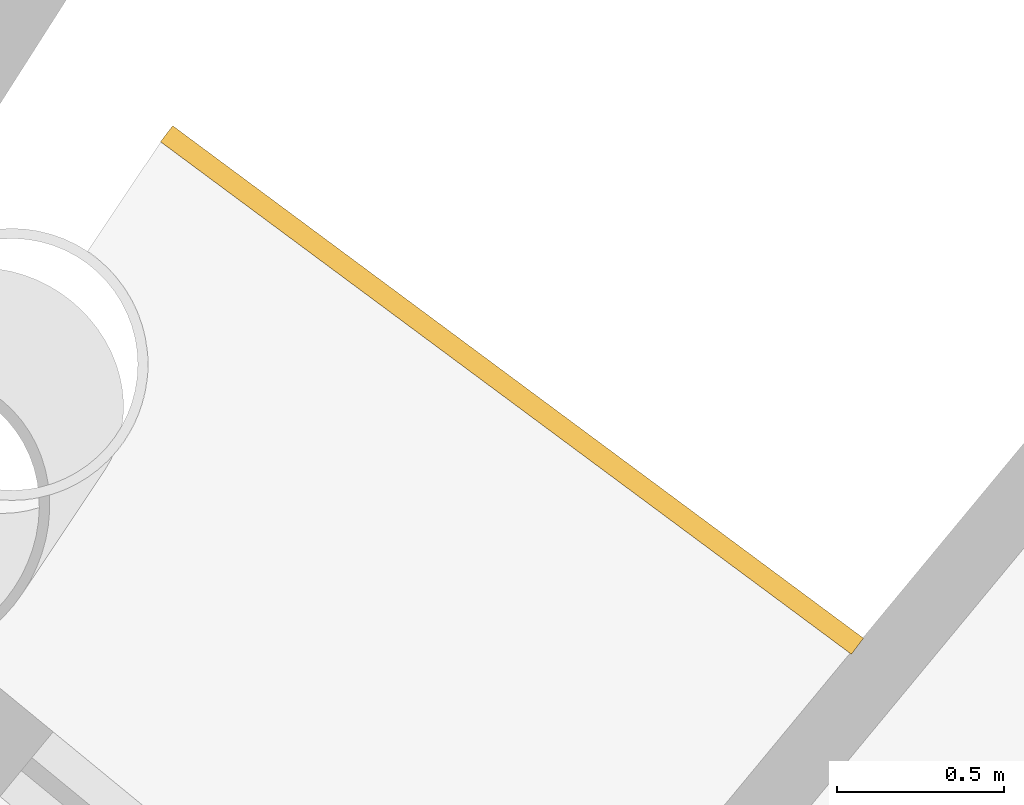
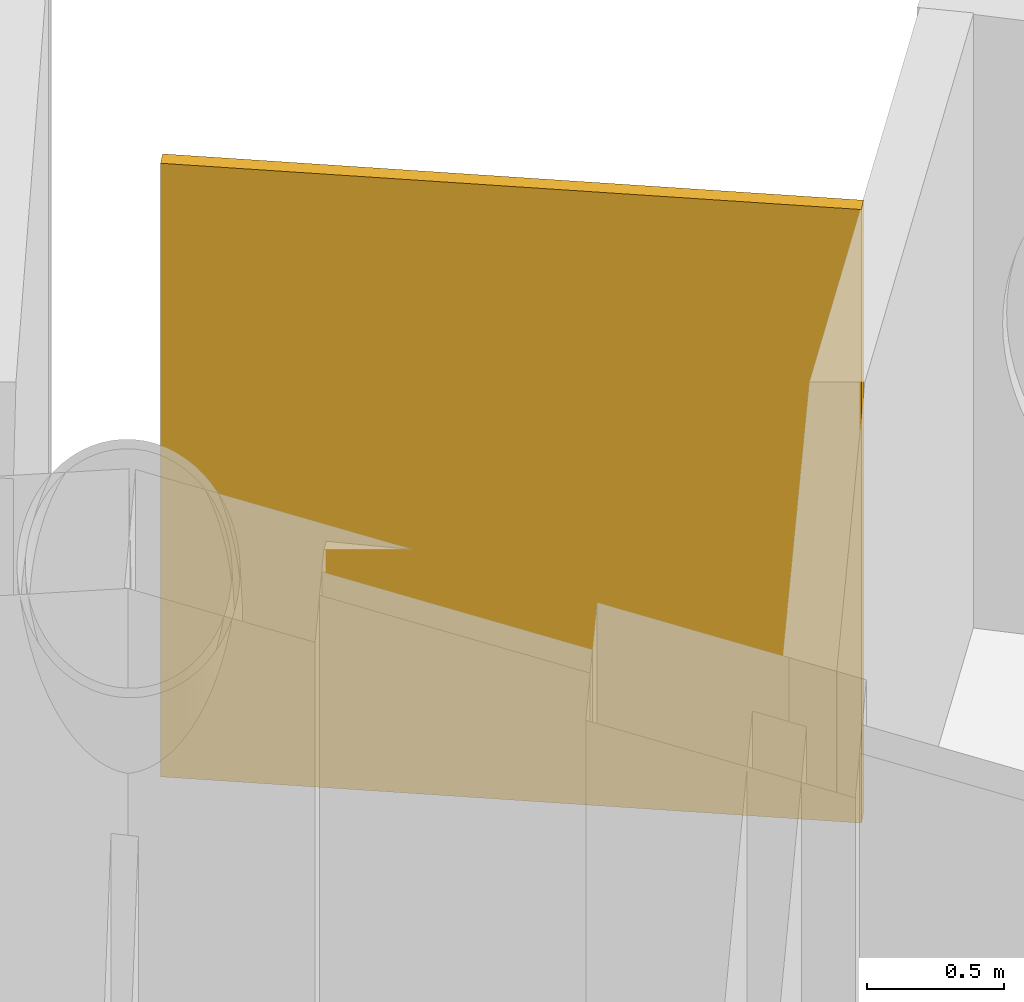
# One storey, part 27 of 27: 1 railing.
"""IFC4 building model written with IfcOpenShell, lengths in metres."""

import ifcopenshell
import ifcopenshell.guid

model = None  # the IFC model being written
_history = None  # IfcOwnerHistory: only IFC2X3 demands one
_inside = {}  # id of a spatial element -> (the spatial element, [elements in it])
_under = {}  # id of a project, library or spatial element -> (it, [spatial elements below it])
_declared = {}  # id of a project -> (the project, [libraries it declares])
_typed = {}  # id of a type object -> (the type object, [elements of that type])
_made_of = {}  # id of a material, layer set ... -> (it, [elements and type objects made of it])


def new_model(schema):
    """Start an empty IFC model of exactly this schema.

    Asked for "IFC4X3", IfcOpenShell would pick the latest addendum, in which some entities
    have other attributes; the version numbers below select the first issue.
    IFC2X3 requires an IfcOwnerHistory on every rooted entity: one is made here for all.
    """
    global model, _history
    if schema == "IFC4X3":
        model = ifcopenshell.file(schema_version=(4, 3, 0, 0))
    else:
        model = ifcopenshell.file(schema=schema)
    _inside.clear()
    _under.clear()
    _declared.clear()
    _typed.clear()
    _made_of.clear()
    _history = None
    if model.schema == "IFC2X3":
        org = make("IfcOrganization", Name="unknown")
        user = make(
            "IfcPersonAndOrganization",
            ThePerson=make("IfcPerson", FamilyName="unknown"),
            TheOrganization=org,
        )
        app = make(
            "IfcApplication",
            ApplicationDeveloper=org,
            Version="unknown",
            ApplicationFullName="unknown",
            ApplicationIdentifier="unknown",
        )
        _history = make(
            "IfcOwnerHistory",
            OwningUser=user,
            OwningApplication=app,
            ChangeAction="ADDED",
            CreationDate=0,
        )
    return model


def make(cls, **values):
    """One entity of the class cls with the attributes given. An attribute that is None is left unset."""
    return model.create_entity(
        cls, **{name: value for name, value in values.items() if value is not None}
    )


def rooted(cls, **values):
    """An entity with a GlobalId (a new one), such as an element, a storey or a relation."""
    return make(cls, GlobalId=ifcopenshell.guid.new(), OwnerHistory=_history, **values)


def si_unit(unit_type, name, prefix=None):
    """IfcSIUnit, for example si_unit("LENGTHUNIT", "METRE", prefix="MILLI")."""
    return make("IfcSIUnit", UnitType=unit_type, Prefix=prefix, Name=name)


def assignment(units):
    """IfcUnitAssignment: the units of a project."""
    return None if units is None else make("IfcUnitAssignment", Units=units)


def point(xyz):
    """IfcCartesianPoint."""
    return None if xyz is None else make("IfcCartesianPoint", Coordinates=xyz)


def direction(xyz):
    """IfcDirection."""
    return None if xyz is None else make("IfcDirection", DirectionRatios=xyz)


def frame(location, z_axis=None, x_axis=None):
    """IfcAxis2Placement3D, a coordinate frame: its origin and axes. An axis left out is left unset."""
    return make(
        "IfcAxis2Placement3D",
        Location=point(location),
        Axis=direction(z_axis),
        RefDirection=direction(x_axis),
    )


def origin():
    """The frame at (0, 0, 0) with its axes left unset."""
    return frame((0.0, 0.0, 0.0))


def place(relative_to, where):
    """IfcLocalPlacement: puts the frame where relative to a parent placement (None: the world)."""
    return make(
        "IfcLocalPlacement", PlacementRelTo=relative_to, RelativePlacement=where
    )


def context(
    kind, dimensions, precision=None, world=None, true_north=None, identifier=None
):
    """IfcGeometricRepresentationContext, for example the 3D "Model" context."""
    return make(
        "IfcGeometricRepresentationContext",
        ContextIdentifier=identifier,
        ContextType=kind,
        CoordinateSpaceDimension=dimensions,
        Precision=precision,
        WorldCoordinateSystem=world,
        TrueNorth=true_north,
    )


def subcontext(parent, identifier, kind, view, scale=None):
    """IfcGeometricRepresentationSubContext, for example "Body" below "Model"."""
    return make(
        "IfcGeometricRepresentationSubContext",
        ContextIdentifier=identifier,
        ContextType=kind,
        ParentContext=parent,
        TargetScale=scale,
        TargetView=view,
    )


def project(units=None, contexts=None):
    """IfcProject with its units and contexts."""
    return rooted(
        "IfcProject",
        Name="project",
        RepresentationContexts=contexts,
        UnitsInContext=assignment(units),
    )


def spatial(cls, under=None, at=None, **own):
    """A site, building, storey or space (cls), placed at a placement, below another one or the project."""
    s = rooted(cls, ObjectPlacement=at, **own)
    if under is not None:
        _under.setdefault(under.id(), (under, []))[1].append(s)
    return s


def polyline(points):
    """IfcPolyline through the points."""
    return make("IfcPolyline", Points=[point(p) for p in points])


def outline(outer, holes=None, kind="AREA"):
    """IfcArbitraryClosedProfileDef: a profile drawn as a closed curve; with holes, ...WithVoids."""
    if holes is None:
        return make("IfcArbitraryClosedProfileDef", ProfileType=kind, OuterCurve=outer)
    return make(
        "IfcArbitraryProfileDefWithVoids",
        ProfileType=kind,
        OuterCurve=outer,
        InnerCurves=holes,
    )


def extrude(swept, where, along, depth):
    """IfcExtrudedAreaSolid: the profile swept, set in the frame where, extruded along a direction by depth."""
    return make(
        "IfcExtrudedAreaSolid",
        SweptArea=swept,
        Position=where,
        ExtrudedDirection=direction(along),
        Depth=depth,
    )


def shape(context_of_items, identifier, shape_type, items):
    """IfcShapeRepresentation: the items that make up one representation, for example the "Body"."""
    return make(
        "IfcShapeRepresentation",
        ContextOfItems=context_of_items,
        RepresentationIdentifier=identifier,
        RepresentationType=shape_type,
        Items=items,
    )


def material(Name=None, Category=None):
    """IfcMaterial."""
    return make("IfcMaterial", Name=Name, Category=Category)


def layer(
    of_material, thickness, ventilated=None, Name=None, Category=None, Priority=None
):
    """IfcMaterialLayer: one layer of a wall or slab, of a material (None: an air gap)."""
    return make(
        "IfcMaterialLayer",
        Material=of_material,
        LayerThickness=thickness,
        IsVentilated=ventilated,
        Name=Name,
        Category=Category,
        Priority=Priority,
    )


def layer_set(layers, Name=None):
    """IfcMaterialLayerSet."""
    return make("IfcMaterialLayerSet", MaterialLayers=layers, LayerSetName=Name)


def made_of(thing, what):
    """Note that an element or type object is made of a material, layer set ...; save() writes the relation."""
    if what is not None:
        _made_of.setdefault(what.id(), (what, []))[1].append(thing)
    return thing


def type_object(cls, material=None, **own):
    """A type object (cls), such as IfcWallType, which elements share."""
    return made_of(rooted(cls, **own), material)


def element(
    cls,
    number,
    at=None,
    inside=None,
    cuts=None,
    type_object=None,
    material=None,
    context=None,
    identifier="Body",
    shape_type=None,
    held_by="IfcProductDefinitionShape",
    body=None,
    shapes=None,
    **own,
):
    """One element of the class cls, such as IfcWall. Its Tag is "e" and its number.

    at: its placement. inside: the storey or other place that contains it. cuts: it is an
    opening in that element (IfcRelVoidsElement). A single representation is given by context,
    identifier, shape_type and body (its items); several are given by shapes. held_by: the class
    of the entity that holds the representations. save() writes the other relations.
    """
    e = rooted(cls, Tag="e%d" % number, ObjectPlacement=at, **own)
    if body is not None:
        shapes = [shape(context, identifier, shape_type, body)]
    if shapes is not None:
        e.Representation = make(held_by, Representations=shapes)
    if inside is not None:
        _inside.setdefault(inside.id(), (inside, []))[1].append(e)
    if cuts is not None:
        rooted(
            "IfcRelVoidsElement", RelatingBuildingElement=cuts, RelatedOpeningElement=e
        )
    if type_object is not None:
        _typed.setdefault(type_object.id(), (type_object, []))[1].append(e)
    return made_of(e, material)


def aggregate(whole, parts):
    """IfcRelAggregates: a whole, such as a stair, and the parts it consists of."""
    return rooted("IfcRelAggregates", RelatingObject=whole, RelatedObjects=parts)


def save(model, path):
    """Write the relations noted so far, then the file.

    IfcRelAggregates (storeys below a building ...), IfcRelContainedInSpatialStructure (elements
    in a storey), IfcRelDefinesByType, IfcRelAssociatesMaterial and IfcRelDeclares: one each for
    every whole, place, type object, material and project.
    """
    for whole, parts in _under.values():
        aggregate(whole, parts)
    for where, things in _inside.values():
        rooted(
            "IfcRelContainedInSpatialStructure",
            RelatedElements=things,
            RelatingStructure=where,
        )
    for kind, things in _typed.values():
        rooted("IfcRelDefinesByType", RelatedObjects=things, RelatingType=kind)
    for what, things in _made_of.values():
        rooted("IfcRelAssociatesMaterial", RelatedObjects=things, RelatingMaterial=what)
    for by, libraries in _declared.values():
        rooted("IfcRelDeclares", RelatingContext=by, RelatedDefinitions=libraries)
    model.write(path)


model = new_model("IFC4")

# Units and contexts
model_context = context("Model", 3, precision=1e-05, world=origin(), true_north=direction((0.0, 1.0)))
body_context = subcontext(model_context, "Body", "Model", "MODEL_VIEW")
ifc_project = project(units=[si_unit("LENGTHUNIT", "METRE"), si_unit("AREAUNIT", "SQUARE_METRE"), si_unit("VOLUMEUNIT", "CUBIC_METRE"), si_unit("PLANEANGLEUNIT", "RADIAN"), si_unit("MASSUNIT", "GRAM", prefix="KILO")], contexts=[model_context])

# Site, building, storey
site_placement = place(None, origin())
site = spatial("IfcSite", under=ifc_project, at=site_placement, CompositionType="ELEMENT")
building_placement = place(site_placement, origin())
building = spatial("IfcBuilding", under=site, at=building_placement, Name="Maasbend Ring Residences", CompositionType="ELEMENT")
storey_placement = place(building_placement, frame((0.0, 0.0, 243.199951171875)))
storey = spatial("IfcBuildingStorey", under=building, at=storey_placement, Name="L70", CompositionType="ELEMENT", Elevation=243.199951171875)

# Railing
ifc_material = material(Name="Pale anodised perforated aluminium", Category="aluminium")
ifc_layer = layer(ifc_material, 0.06005859375)
ifc_layer_set = layer_set([ifc_layer], Name="SCREEN-P")
railing_type = type_object("IfcRailingType", Name="SCREEN-P", PredefinedType="GUARDRAIL", material=ifc_layer_set)
railing_placement = place(storey_placement, frame((0.0, 0.0, -0.030029296875)))
element("IfcRailing", 1, at=railing_placement, inside=storey, type_object=railing_type, Name="Perforated screen guard 2", PredefinedType="GUARDRAIL", context=body_context, shape_type="SweptSolid", body=[
    extrude(outline(polyline([(16.62109375, 20.2529296875), (14.555908203125, 21.784912109375), (14.592041015625, 21.8330078125), (16.656982421875, 20.301025390625), (16.62109375, 20.2529296875)])), origin(), (0.0, 0.0, 1.0), 2.72998046875),
])

save(model, "model.ifc")
